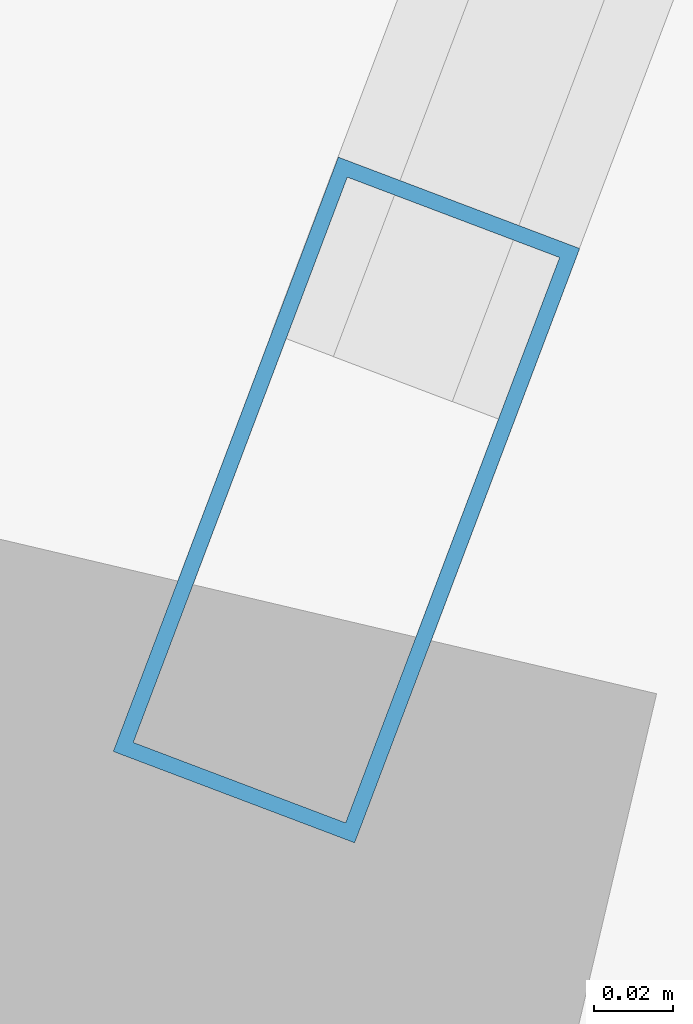
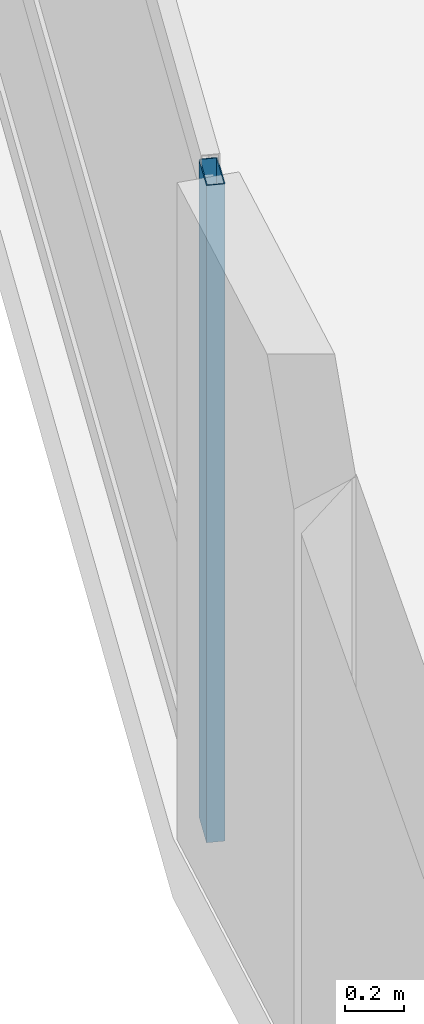
# One storey, part 2 of 24: 1 member, 1 element without a shape of its own.
"""IFC4 building model written with IfcOpenShell, lengths in metres."""

from ifc_helpers import new_model, si_unit, direction, frame, origin, origin_2d, place, context, subcontext, project, spatial, hollow_rectangle, extrude, material, layer, layer_set, material_profile, profile_set, type_object, element, aggregate, save


model = new_model("IFC4")

# Units and contexts
model_context = context("Model", 3, precision=1e-05, world=origin(), true_north=direction((0.0, 1.0)))
body_context = subcontext(model_context, "Body", "Model", "MODEL_VIEW")
ifc_project = project(units=[si_unit("LENGTHUNIT", "METRE"), si_unit("AREAUNIT", "SQUARE_METRE"), si_unit("VOLUMEUNIT", "CUBIC_METRE"), si_unit("PLANEANGLEUNIT", "RADIAN"), si_unit("MASSUNIT", "GRAM", prefix="KILO")], contexts=[model_context])

# Site, building, storey
site_placement = place(None, origin())
site = spatial("IfcSite", under=ifc_project, at=site_placement, CompositionType="ELEMENT")
building_placement = place(site_placement, origin())
building = spatial("IfcBuilding", under=site, at=building_placement, Name="Varnelok Gate Tower", CompositionType="ELEMENT")
storey_placement = place(building_placement, frame((0.0, 0.0, 102.10009765625)))
storey = spatial("IfcBuildingStorey", under=building, at=storey_placement, Name="L25", CompositionType="ELEMENT", Elevation=102.10009765625)

# Curtain wall, member
ifc_material = material(Name="Anodized Aluminum Alloy 6063-T6", Category="aluminium")
ifc_layer = layer(ifc_material, 0.179931640625)
ifc_layer_set = layer_set([ifc_layer], Name="Anodized Aluminum Alloy 6063-T6")
curtain_wall_type = type_object("IfcCurtainWallType", Name="CW3-HOTEL-VISION", PredefinedType="USERDEFINED", material=ifc_layer_set)
curtain_wall_placement = place(storey_placement, origin())
curtain_wall = element("IfcCurtainWall", 1, at=curtain_wall_placement, inside=storey, type_object=curtain_wall_type, Name="L25 West End Vision Curtain Wall", ObjectType="UNITISED CURTAIN WALL", PredefinedType="USERDEFINED")
ifc_material_profile = material_profile(ifc_material, hollow_rectangle(XDim=0.06494140625, YDim=0.159912109375, WallThickness=0.00390625, at=origin_2d()), Name="ALU160X65X4")
ifc_profile_set = profile_set([ifc_material_profile], Name="Anodized Aluminum Alloy 6063-T6")
member_type = type_object("IfcMemberType", Name="CW-MULL-160", PredefinedType="MULLION", material=ifc_profile_set)
member_placement = place(storey_placement, frame((-2.04345703125, 21.59521484375, 0.0), z_axis=(0.0, 0.0, 1.0), x_axis=(-0.935221323688, 0.354063660545, 0.0)))
member = element("IfcMember", 2, at=member_placement, type_object=member_type, Name="CW3 mullion 1", PredefinedType="MULLION", context=body_context, shape_type="SweptSolid", body=[
    extrude(hollow_rectangle(XDim=0.06494140625, YDim=0.159912109375, WallThickness=0.00390625, at=origin_2d()), origin(), (0.0, 0.0, 1.0), 2.72998046875),
])
aggregate(curtain_wall, [member])

save(model, "model.ifc")
